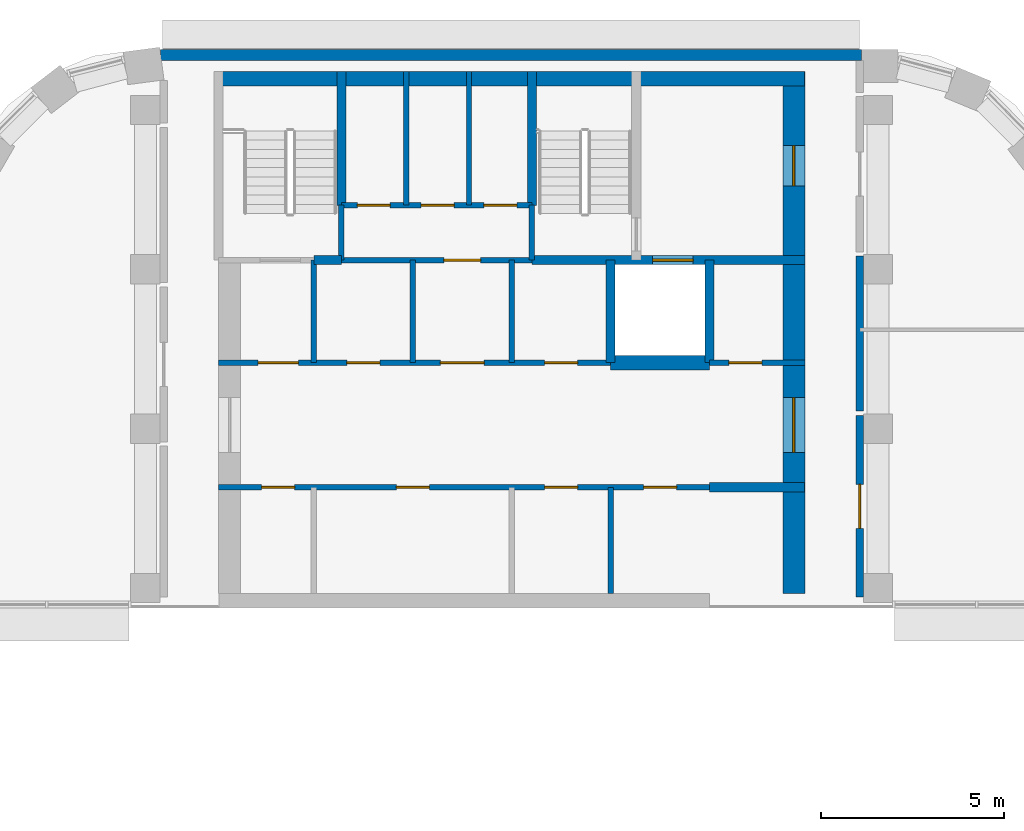
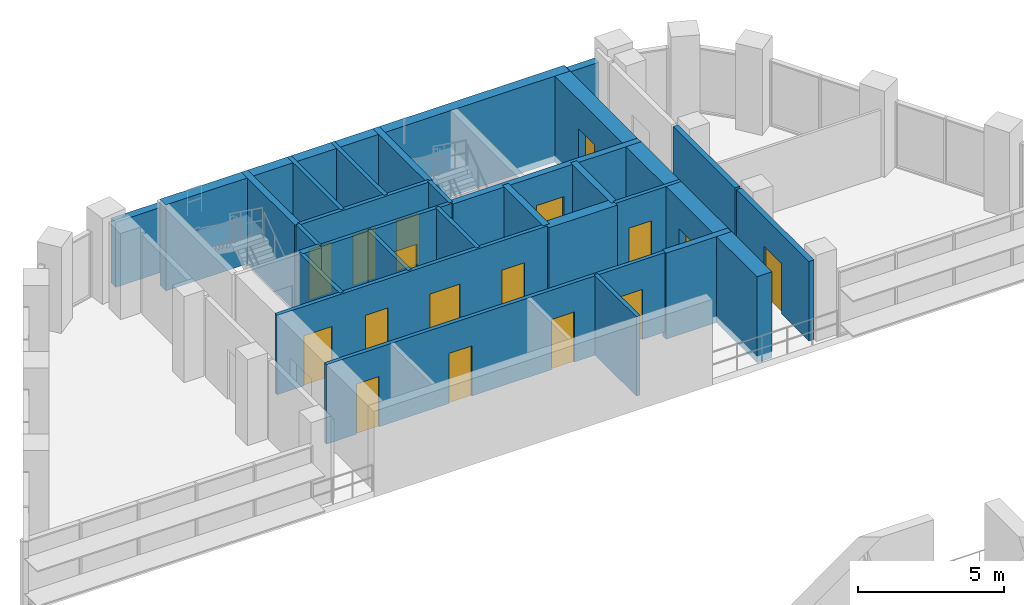
# One storey, part 10 of 14: 27 walls, 17 doors, 17 openings.
"""IFC4 building model written with IfcOpenShell, lengths in metres."""

import ifcopenshell
import ifcopenshell.guid

model = None  # the IFC model being written
_history = None  # IfcOwnerHistory: only IFC2X3 demands one
_inside = {}  # id of a spatial element -> (the spatial element, [elements in it])
_under = {}  # id of a project, library or spatial element -> (it, [spatial elements below it])
_declared = {}  # id of a project -> (the project, [libraries it declares])
_typed = {}  # id of a type object -> (the type object, [elements of that type])
_made_of = {}  # id of a material, layer set ... -> (it, [elements and type objects made of it])


def new_model(schema):
    """Start an empty IFC model of exactly this schema.

    Asked for "IFC4X3", IfcOpenShell would pick the latest addendum, in which some entities
    have other attributes; the version numbers below select the first issue.
    IFC2X3 requires an IfcOwnerHistory on every rooted entity: one is made here for all.
    """
    global model, _history
    if schema == "IFC4X3":
        model = ifcopenshell.file(schema_version=(4, 3, 0, 0))
    else:
        model = ifcopenshell.file(schema=schema)
    _inside.clear()
    _under.clear()
    _declared.clear()
    _typed.clear()
    _made_of.clear()
    _history = None
    if model.schema == "IFC2X3":
        org = make("IfcOrganization", Name="unknown")
        user = make(
            "IfcPersonAndOrganization",
            ThePerson=make("IfcPerson", FamilyName="unknown"),
            TheOrganization=org,
        )
        app = make(
            "IfcApplication",
            ApplicationDeveloper=org,
            Version="unknown",
            ApplicationFullName="unknown",
            ApplicationIdentifier="unknown",
        )
        _history = make(
            "IfcOwnerHistory",
            OwningUser=user,
            OwningApplication=app,
            ChangeAction="ADDED",
            CreationDate=0,
        )
    return model


def make(cls, **values):
    """One entity of the class cls with the attributes given. An attribute that is None is left unset."""
    return model.create_entity(
        cls, **{name: value for name, value in values.items() if value is not None}
    )


def rooted(cls, **values):
    """An entity with a GlobalId (a new one), such as an element, a storey or a relation."""
    return make(cls, GlobalId=ifcopenshell.guid.new(), OwnerHistory=_history, **values)


def si_unit(unit_type, name, prefix=None):
    """IfcSIUnit, for example si_unit("LENGTHUNIT", "METRE", prefix="MILLI")."""
    return make("IfcSIUnit", UnitType=unit_type, Prefix=prefix, Name=name)


def assignment(units):
    """IfcUnitAssignment: the units of a project."""
    return None if units is None else make("IfcUnitAssignment", Units=units)


def point(xyz):
    """IfcCartesianPoint."""
    return None if xyz is None else make("IfcCartesianPoint", Coordinates=xyz)


def direction(xyz):
    """IfcDirection."""
    return None if xyz is None else make("IfcDirection", DirectionRatios=xyz)


def frame(location, z_axis=None, x_axis=None):
    """IfcAxis2Placement3D, a coordinate frame: its origin and axes. An axis left out is left unset."""
    return make(
        "IfcAxis2Placement3D",
        Location=point(location),
        Axis=direction(z_axis),
        RefDirection=direction(x_axis),
    )


def frame_2d(location, x_axis=None):
    """IfcAxis2Placement2D, a coordinate frame in the plane: its origin and x axis."""
    return make(
        "IfcAxis2Placement2D", Location=point(location), RefDirection=direction(x_axis)
    )


def origin():
    """The frame at (0, 0, 0) with its axes left unset."""
    return frame((0.0, 0.0, 0.0))


def place(relative_to, where):
    """IfcLocalPlacement: puts the frame where relative to a parent placement (None: the world)."""
    return make(
        "IfcLocalPlacement", PlacementRelTo=relative_to, RelativePlacement=where
    )


def context(
    kind, dimensions, precision=None, world=None, true_north=None, identifier=None
):
    """IfcGeometricRepresentationContext, for example the 3D "Model" context."""
    return make(
        "IfcGeometricRepresentationContext",
        ContextIdentifier=identifier,
        ContextType=kind,
        CoordinateSpaceDimension=dimensions,
        Precision=precision,
        WorldCoordinateSystem=world,
        TrueNorth=true_north,
    )


def subcontext(parent, identifier, kind, view, scale=None):
    """IfcGeometricRepresentationSubContext, for example "Body" below "Model"."""
    return make(
        "IfcGeometricRepresentationSubContext",
        ContextIdentifier=identifier,
        ContextType=kind,
        ParentContext=parent,
        TargetScale=scale,
        TargetView=view,
    )


def project(units=None, contexts=None):
    """IfcProject with its units and contexts."""
    return rooted(
        "IfcProject",
        Name="project",
        RepresentationContexts=contexts,
        UnitsInContext=assignment(units),
    )


def spatial(cls, under=None, at=None, **own):
    """A site, building, storey or space (cls), placed at a placement, below another one or the project."""
    s = rooted(cls, ObjectPlacement=at, **own)
    if under is not None:
        _under.setdefault(under.id(), (under, []))[1].append(s)
    return s


def profile(cls, at=None, kind="AREA", **sizes):
    """A parametric profile (cls). Its sizes go by their IFC names, for example OverallWidth=200.0."""
    return make(cls, ProfileType=kind, Position=at, **sizes)


def rectangle(**sizes):
    """IfcRectangleProfileDef."""
    return profile("IfcRectangleProfileDef", **sizes)


def extrude(swept, where, along, depth):
    """IfcExtrudedAreaSolid: the profile swept, set in the frame where, extruded along a direction by depth."""
    return make(
        "IfcExtrudedAreaSolid",
        SweptArea=swept,
        Position=where,
        ExtrudedDirection=direction(along),
        Depth=depth,
    )


def shape(context_of_items, identifier, shape_type, items):
    """IfcShapeRepresentation: the items that make up one representation, for example the "Body"."""
    return make(
        "IfcShapeRepresentation",
        ContextOfItems=context_of_items,
        RepresentationIdentifier=identifier,
        RepresentationType=shape_type,
        Items=items,
    )


def material(Name=None, Category=None):
    """IfcMaterial."""
    return make("IfcMaterial", Name=Name, Category=Category)


def layer(
    of_material, thickness, ventilated=None, Name=None, Category=None, Priority=None
):
    """IfcMaterialLayer: one layer of a wall or slab, of a material (None: an air gap)."""
    return make(
        "IfcMaterialLayer",
        Material=of_material,
        LayerThickness=thickness,
        IsVentilated=ventilated,
        Name=Name,
        Category=Category,
        Priority=Priority,
    )


def layer_set(layers, Name=None):
    """IfcMaterialLayerSet."""
    return make("IfcMaterialLayerSet", MaterialLayers=layers, LayerSetName=Name)


def made_of(thing, what):
    """Note that an element or type object is made of a material, layer set ...; save() writes the relation."""
    if what is not None:
        _made_of.setdefault(what.id(), (what, []))[1].append(thing)
    return thing


def type_object(cls, material=None, **own):
    """A type object (cls), such as IfcWallType, which elements share."""
    return made_of(rooted(cls, **own), material)


def element(
    cls,
    number,
    at=None,
    inside=None,
    cuts=None,
    type_object=None,
    material=None,
    context=None,
    identifier="Body",
    shape_type=None,
    held_by="IfcProductDefinitionShape",
    body=None,
    shapes=None,
    **own,
):
    """One element of the class cls, such as IfcWall. Its Tag is "e" and its number.

    at: its placement. inside: the storey or other place that contains it. cuts: it is an
    opening in that element (IfcRelVoidsElement). A single representation is given by context,
    identifier, shape_type and body (its items); several are given by shapes. held_by: the class
    of the entity that holds the representations. save() writes the other relations.
    """
    e = rooted(cls, Tag="e%d" % number, ObjectPlacement=at, **own)
    if body is not None:
        shapes = [shape(context, identifier, shape_type, body)]
    if shapes is not None:
        e.Representation = make(held_by, Representations=shapes)
    if inside is not None:
        _inside.setdefault(inside.id(), (inside, []))[1].append(e)
    if cuts is not None:
        rooted(
            "IfcRelVoidsElement", RelatingBuildingElement=cuts, RelatedOpeningElement=e
        )
    if type_object is not None:
        _typed.setdefault(type_object.id(), (type_object, []))[1].append(e)
    return made_of(e, material)


def fill(opening, filler):
    """IfcRelFillsElement: the door or window that sits in an opening."""
    return rooted(
        "IfcRelFillsElement",
        RelatingOpeningElement=opening,
        RelatedBuildingElement=filler,
    )


def aggregate(whole, parts):
    """IfcRelAggregates: a whole, such as a stair, and the parts it consists of."""
    return rooted("IfcRelAggregates", RelatingObject=whole, RelatedObjects=parts)


def save(model, path):
    """Write the relations noted so far, then the file.

    IfcRelAggregates (storeys below a building ...), IfcRelContainedInSpatialStructure (elements
    in a storey), IfcRelDefinesByType, IfcRelAssociatesMaterial and IfcRelDeclares: one each for
    every whole, place, type object, material and project.
    """
    for whole, parts in _under.values():
        aggregate(whole, parts)
    for where, things in _inside.values():
        rooted(
            "IfcRelContainedInSpatialStructure",
            RelatedElements=things,
            RelatingStructure=where,
        )
    for kind, things in _typed.values():
        rooted("IfcRelDefinesByType", RelatedObjects=things, RelatingType=kind)
    for what, things in _made_of.values():
        rooted("IfcRelAssociatesMaterial", RelatedObjects=things, RelatingMaterial=what)
    for by, libraries in _declared.values():
        rooted("IfcRelDeclares", RelatingContext=by, RelatedDefinitions=libraries)
    model.write(path)


model = new_model("IFC4")

# Units and contexts
model_context = context("Model", 3, precision=1e-05, world=origin(), true_north=direction((0.0, 1.0)))
body_context = subcontext(model_context, "Body", "Model", "MODEL_VIEW")
ifc_project = project(units=[si_unit("LENGTHUNIT", "METRE"), si_unit("AREAUNIT", "SQUARE_METRE"), si_unit("VOLUMEUNIT", "CUBIC_METRE"), si_unit("PLANEANGLEUNIT", "RADIAN"), si_unit("MASSUNIT", "GRAM", prefix="KILO")], contexts=[model_context])

# Site, building, storey
site_placement = place(None, origin())
site = spatial("IfcSite", under=ifc_project, at=site_placement, CompositionType="ELEMENT")
building_placement = place(site_placement, origin())
building = spatial("IfcBuilding", under=site, at=building_placement, Name="Nakaniwa Court", CompositionType="ELEMENT")
storey_placement = place(building_placement, frame((0.0, 0.0, 279.60009765625)))
storey = spatial("IfcBuildingStorey", under=building, at=storey_placement, Name="C03", CompositionType="ELEMENT", Elevation=279.60009765625)

# Wall, opening, door
ifc_material_1 = material(Name="Acoustic double stud partition")
ifc_layer_1 = layer(ifc_material_1, 0.199951171875)
ifc_layer_set_1 = layer_set([ifc_layer_1], Name="Acoustic double stud partition")
wall_type_1 = type_object("IfcWallType", Name="Acoustic double stud partition 200", PredefinedType="PARTITIONING", material=ifc_layer_set_1)
wall_1_placement = place(storey_placement, frame((89.5, 92.6630859375, 0.0), z_axis=(0.0, 0.0, 1.0), x_axis=(0.0, -1.0, 0.0)))
wall_1 = element("IfcWall", 1, at=wall_1_placement, inside=storey, type_object=wall_type_1, Name="Partition PW-059", PredefinedType="PARTITIONING", context=body_context, shape_type="SweptSolid", body=[
    extrude(rectangle(XDim=4.963134765625, YDim=0.199951171875, at=frame_2d((2.4814453125, 0.0))), origin(), (0.0, 0.0, 1.0), 3.324951171875),
])
opening_1_placement = place(wall_1_placement, frame((1.883056640625, 0.0, 0.0)))
opening_1 = element("IfcOpeningElement", 2, at=opening_1_placement, cuts=wall_1, Name="Opening D-30-03", PredefinedType="OPENING", context=body_context, shape_type="SweptSolid", body=[
    extrude(rectangle(XDim=1.199951171875, YDim=2.10009765625, at=frame_2d((0.60009765625, 1.050048828125))), frame((0.0, 0.10986328125, 0.0), z_axis=(0.0, -1.0, 0.0), x_axis=(1.0, 0.0, 0.0)), (0.0, 0.0, 1.0), 0.219970703125),
])
ifc_material_2 = material(Name="Solid core timber door set, black veneer", Category="wood")
door_type_1 = type_object("IfcDoorType", Name="Internal door 1200", OperationType="NOTDEFINED", PredefinedType="DOOR", material=ifc_material_2)
door_1_placement = place(opening_1_placement, origin())
door_1 = element("IfcDoor", 3, at=door_1_placement, inside=storey, type_object=door_type_1, Name="Door D-30-03 C03-033", OperationType="SINGLE_SWING_RIGHT", OverallHeight=2.10009765625, OverallWidth=1.199951171875, PredefinedType="DOOR", context=body_context, shape_type="SweptSolid", body=[
    extrude(rectangle(XDim=1.199951171875, YDim=2.10009765625, at=frame_2d((0.60009765625, 1.050048828125))), frame((0.0, 0.02490234375, 0.0), z_axis=(0.0, -1.0, 0.0), x_axis=(1.0, 0.0, 0.0)), (0.0, 0.0, 1.0), 0.050048828125),
])
fill(opening_1, door_1)

# Walls
wall_2_placement = place(storey_placement, frame((89.5, 92.777099609375, 0.0), z_axis=(0.0, 0.0, 1.0), x_axis=(0.0, 1.0, 0.0)))
element("IfcWall", 4, at=wall_2_placement, inside=storey, type_object=wall_type_1, Name="Partition PW-060", PredefinedType="PARTITIONING", context=body_context, shape_type="SweptSolid", body=[
    extrude(rectangle(XDim=4.23583984375, YDim=0.199951171875, at=frame_2d((2.117919921875, 0.0))), origin(), (0.0, 0.0, 1.0), 3.324951171875),
])
ifc_material_3 = material(Name="Charcoal ceramic cladding")
ifc_layer_2 = layer(ifc_material_3, 0.02, Name="Ceramic cladding")
ifc_material_4 = material(Name="Ventilated air cavity")
ifc_layer_3 = layer(ifc_material_4, 0.04, ventilated=True, Name="Ventilated cavity")
ifc_material_5 = material(Name="Mineral wool insulation")
ifc_layer_4 = layer(ifc_material_5, 0.1, Name="Insulation")
ifc_material_6 = material(Name="Cement bonded sheathing board")
ifc_layer_5 = layer(ifc_material_6, 0.012, Name="Sheathing")
ifc_material_7 = material(Name="Cold-formed galvanised stud frame with mineral wool infill")
ifc_layer_6 = layer(ifc_material_7, 0.1, Name="Stud frame")
ifc_material_8 = material(Name="Fire-rated gypsum plasterboard lining")
ifc_layer_7 = layer(ifc_material_8, 0.028, Name="Lining")
ifc_layer_set_2 = layer_set([ifc_layer_2, ifc_layer_3, ifc_layer_4, ifc_layer_5, ifc_layer_6, ifc_layer_7], Name="Charcoal ceramic faced external wall system")
wall_type_2 = type_object("IfcWallType", Name="Black ceramic faced external wall 300", PredefinedType="SOLIDWALL", material=ifc_layer_set_2)
wall_3_placement = place(storey_placement, frame((89.54931640625, 102.5, 0.0), z_axis=(0.0, 0.0, 1.0), x_axis=(-1.0, 0.0, 0.0)))
element("IfcWall", 5, at=wall_3_placement, inside=storey, type_object=wall_type_2, Name="C03 external wall 23", PredefinedType="SOLIDWALL", context=body_context, shape_type="SweptSolid", body=[
    extrude(rectangle(XDim=19.1337890625, YDim=0.300048828125, at=frame_2d((9.56689453125, 0.0))), origin(), (0.0, 0.0, 1.0), 2.724853515625),
])
ifc_material_9 = material(Name="Blockwork partition", Category="masonry")
ifc_layer_8 = layer(ifc_material_9, 0.14990234375)
ifc_layer_set_3 = layer_set([ifc_layer_8], Name="Blockwork partition")
wall_type_3 = type_object("IfcWallType", Name="Blockwork partition 150", PredefinedType="PARTITIONING", material=ifc_layer_set_3)
wall_4_placement = place(storey_placement, frame((74.60009765625, 94.10009765625, 0.0), z_axis=(0.0, 0.0, 1.0), x_axis=(0.0, 1.0, 0.0)))
element("IfcWall", 6, at=wall_4_placement, inside=storey, type_object=wall_type_3, Name="Partition PW-002", PredefinedType="PARTITIONING", context=body_context, shape_type="SweptSolid", body=[
    extrude(rectangle(XDim=2.7998046875, YDim=0.14990234375, at=frame_2d((1.39990234375, 0.0))), origin(), (0.0, 0.0, 1.0), 3.324951171875),
])

# Wall, openings, doors
wall_5_placement = place(storey_placement, frame((85.39990234375, 90.699951171875, 0.0), z_axis=(0.0, 0.0, 1.0), x_axis=(-1.0, 0.0, 0.0)))
wall_5 = element("IfcWall", 7, at=wall_5_placement, inside=storey, type_object=wall_type_3, Name="Partition PW-003", PredefinedType="PARTITIONING", context=body_context, shape_type="SweptSolid", body=[
    extrude(rectangle(XDim=13.39990234375, YDim=0.14990234375, at=frame_2d((6.699951171875, 0.0))), origin(), (0.0, 0.0, 1.0), 3.324951171875),
])
opening_2_placement = place(wall_5_placement, frame((11.324951171875, 0.0, 0.0)))
opening_2 = element("IfcOpeningElement", 8, at=opening_2_placement, cuts=wall_5, Name="Opening D-05-01", PredefinedType="OPENING", context=body_context, shape_type="SweptSolid", body=[
    extrude(rectangle(XDim=0.89990234375, YDim=2.10009765625, at=frame_2d((0.449951171875, 1.050048828125))), frame((0.0, 0.0849609375, 0.0), z_axis=(0.0, -1.0, 0.0), x_axis=(1.0, 0.0, 0.0)), (0.0, 0.0, 1.0), 0.169921875),
])
opening_3_placement = place(wall_5_placement, frame((7.64990234375, 0.0, 0.0)))
opening_3 = element("IfcOpeningElement", 9, at=opening_3_placement, cuts=wall_5, Name="Opening D-05-02", PredefinedType="OPENING", context=body_context, shape_type="SweptSolid", body=[
    extrude(rectangle(XDim=0.89990234375, YDim=2.10009765625, at=frame_2d((0.449951171875, 1.050048828125))), frame((0.0, 0.0849609375, 0.0), z_axis=(0.0, -1.0, 0.0), x_axis=(1.0, 0.0, 0.0)), (0.0, 0.0, 1.0), 0.169921875),
])
opening_4_placement = place(wall_5_placement, frame((3.60009765625, 0.0, 0.0)))
opening_4 = element("IfcOpeningElement", 10, at=opening_4_placement, cuts=wall_5, Name="Opening D-05-03", PredefinedType="OPENING", context=body_context, shape_type="SweptSolid", body=[
    extrude(rectangle(XDim=0.89990234375, YDim=2.10009765625, at=frame_2d((0.449951171875, 1.050048828125))), frame((0.0, 0.0849609375, 0.0), z_axis=(0.0, -1.0, 0.0), x_axis=(1.0, 0.0, 0.0)), (0.0, 0.0, 1.0), 0.169921875),
])
opening_5_placement = place(wall_5_placement, frame((0.89990234375, 0.0, 0.0)))
opening_5 = element("IfcOpeningElement", 11, at=opening_5_placement, cuts=wall_5, Name="Opening D-05-04", PredefinedType="OPENING", context=body_context, shape_type="SweptSolid", body=[
    extrude(rectangle(XDim=0.89990234375, YDim=2.10009765625, at=frame_2d((0.449951171875, 1.050048828125))), frame((0.0, 0.0849609375, 0.0), z_axis=(0.0, -1.0, 0.0), x_axis=(1.0, 0.0, 0.0)), (0.0, 0.0, 1.0), 0.169921875),
])
ifc_material_10 = material(Name="Fire rated steel door set", Category="steel")
door_type_2 = type_object("IfcDoorType", Name="Service room door 900", OperationType="NOTDEFINED", PredefinedType="DOOR", material=ifc_material_10)
door_2_placement = place(opening_2_placement, origin())
door_2 = element("IfcDoor", 12, at=door_2_placement, inside=storey, type_object=door_type_2, Name="Door D-05-01 C03-001", OperationType="SINGLE_SWING_RIGHT", OverallHeight=2.10009765625, OverallWidth=0.89990234375, PredefinedType="DOOR", context=body_context, shape_type="SweptSolid", body=[
    extrude(rectangle(XDim=0.89990234375, YDim=2.10009765625, at=frame_2d((0.449951171875, 1.050048828125))), frame((0.0, 0.02490234375, 0.0), z_axis=(0.0, -1.0, 0.0), x_axis=(1.0, 0.0, 0.0)), (0.0, 0.0, 1.0), 0.050048828125),
])
fill(opening_2, door_2)
door_3_placement = place(opening_3_placement, origin())
door_3 = element("IfcDoor", 13, at=door_3_placement, inside=storey, type_object=door_type_2, Name="Door D-05-02 C03-002", OperationType="SINGLE_SWING_LEFT", OverallHeight=2.10009765625, OverallWidth=0.89990234375, PredefinedType="DOOR", context=body_context, shape_type="SweptSolid", body=[
    extrude(rectangle(XDim=0.89990234375, YDim=2.10009765625, at=frame_2d((0.449951171875, 1.050048828125))), frame((0.0, 0.02490234375, 0.0), z_axis=(0.0, -1.0, 0.0), x_axis=(1.0, 0.0, 0.0)), (0.0, 0.0, 1.0), 0.050048828125),
])
fill(opening_3, door_3)
door_4_placement = place(opening_4_placement, origin())
door_4 = element("IfcDoor", 14, at=door_4_placement, inside=storey, type_object=door_type_2, Name="Door D-05-03 C03-003", OperationType="SINGLE_SWING_RIGHT", OverallHeight=2.10009765625, OverallWidth=0.89990234375, PredefinedType="DOOR", context=body_context, shape_type="SweptSolid", body=[
    extrude(rectangle(XDim=0.89990234375, YDim=2.10009765625, at=frame_2d((0.449951171875, 1.050048828125))), frame((0.0, 0.02490234375, 0.0), z_axis=(0.0, -1.0, 0.0), x_axis=(1.0, 0.0, 0.0)), (0.0, 0.0, 1.0), 0.050048828125),
])
fill(opening_4, door_4)
door_5_placement = place(opening_5_placement, origin())
door_5 = element("IfcDoor", 15, at=door_5_placement, inside=storey, type_object=door_type_2, Name="Door D-05-04 C03-004", OperationType="SINGLE_SWING_LEFT", OverallHeight=2.10009765625, OverallWidth=0.89990234375, PredefinedType="DOOR", context=body_context, shape_type="SweptSolid", body=[
    extrude(rectangle(XDim=0.89990234375, YDim=2.10009765625, at=frame_2d((0.449951171875, 1.050048828125))), frame((0.0, 0.02490234375, 0.0), z_axis=(0.0, -1.0, 0.0), x_axis=(1.0, 0.0, 0.0)), (0.0, 0.0, 1.0), 0.050048828125),
])
fill(opening_5, door_5)

# Walls
wall_6_placement = place(storey_placement, frame((80.0, 94.10009765625, 0.0), z_axis=(0.0, 0.0, 1.0), x_axis=(0.0, 1.0, 0.0)))
element("IfcWall", 16, at=wall_6_placement, inside=storey, type_object=wall_type_3, Name="Partition PW-006", PredefinedType="PARTITIONING", context=body_context, shape_type="SweptSolid", body=[
    extrude(rectangle(XDim=2.7998046875, YDim=0.14990234375, at=frame_2d((1.39990234375, 0.0))), origin(), (0.0, 0.0, 1.0), 3.324951171875),
])
wall_7_placement = place(storey_placement, frame((82.699951171875, 87.800048828125, 0.0), z_axis=(0.0, 0.0, 1.0), x_axis=(0.0, 1.0, 0.0)))
element("IfcWall", 17, at=wall_7_placement, inside=storey, type_object=wall_type_3, Name="Partition PW-007", PredefinedType="PARTITIONING", context=body_context, shape_type="SweptSolid", body=[
    extrude(rectangle(XDim=2.89990234375, YDim=0.14990234375, at=frame_2d((1.449951171875, 0.0))), origin(), (0.0, 0.0, 1.0), 3.324951171875),
])

# Wall, openings, doors
wall_8_placement = place(storey_placement, frame((72.0, 94.10009765625, 0.0), z_axis=(0.0, 0.0, 1.0), x_axis=(1.0, 0.0, 0.0)))
wall_8 = element("IfcWall", 18, at=wall_8_placement, inside=storey, type_object=wall_type_3, Name="Partition PW-008", PredefinedType="PARTITIONING", context=body_context, shape_type="SweptSolid", body=[
    extrude(rectangle(XDim=10.702880859375, YDim=0.14990234375, at=frame_2d((5.3515625, 0.0))), origin(), (0.0, 0.0, 1.0), 3.324951171875),
])
opening_6_placement = place(wall_8_placement, frame((1.074951171875, 0.0, 0.0)))
opening_6 = element("IfcOpeningElement", 19, at=opening_6_placement, cuts=wall_8, Name="Opening D-08-01", PredefinedType="OPENING", context=body_context, shape_type="SweptSolid", body=[
    extrude(rectangle(XDim=1.10009765625, YDim=2.10009765625, at=frame_2d((0.550048828125, 1.050048828125))), frame((0.0, 0.0849609375, 0.0), z_axis=(0.0, -1.0, 0.0), x_axis=(1.0, 0.0, 0.0)), (0.0, 0.0, 1.0), 0.169921875),
])
opening_7_placement = place(wall_8_placement, frame((3.5, 0.0, 0.0)))
opening_7 = element("IfcOpeningElement", 20, at=opening_7_placement, cuts=wall_8, Name="Opening D-05-05", PredefinedType="OPENING", context=body_context, shape_type="SweptSolid", body=[
    extrude(rectangle(XDim=0.89990234375, YDim=2.10009765625, at=frame_2d((0.449951171875, 1.050048828125))), frame((0.0, 0.0849609375, 0.0), z_axis=(0.0, -1.0, 0.0), x_axis=(1.0, 0.0, 0.0)), (0.0, 0.0, 1.0), 0.169921875),
])
opening_8_placement = place(wall_8_placement, frame((6.050048828125, 0.0, 0.0)))
opening_8 = element("IfcOpeningElement", 21, at=opening_8_placement, cuts=wall_8, Name="Opening D-06-01", PredefinedType="OPENING", context=body_context, shape_type="SweptSolid", body=[
    extrude(rectangle(XDim=1.199951171875, YDim=2.10009765625, at=frame_2d((0.60009765625, 1.050048828125))), frame((0.0, 0.0849609375, 0.0), z_axis=(0.0, -1.0, 0.0), x_axis=(1.0, 0.0, 0.0)), (0.0, 0.0, 1.0), 0.169921875),
])
opening_9_placement = place(wall_8_placement, frame((8.89990234375, 0.0, 0.0)))
opening_9 = element("IfcOpeningElement", 22, at=opening_9_placement, cuts=wall_8, Name="Opening D-05-06", PredefinedType="OPENING", context=body_context, shape_type="SweptSolid", body=[
    extrude(rectangle(XDim=0.89990234375, YDim=2.10009765625, at=frame_2d((0.449951171875, 1.050048828125))), frame((0.0, 0.0849609375, 0.0), z_axis=(0.0, -1.0, 0.0), x_axis=(1.0, 0.0, 0.0)), (0.0, 0.0, 1.0), 0.169921875),
])
ifc_material_11 = material(Name="Fire rated steel double door set", Category="steel")
door_type_3 = type_object("IfcDoorType", Name="Service passage double door 1200", OperationType="NOTDEFINED", PredefinedType="DOOR", material=ifc_material_11)
door_6_placement = place(opening_8_placement, origin())
door_6 = element("IfcDoor", 23, at=door_6_placement, inside=storey, type_object=door_type_3, Name="Door D-06-01 C03-007", OperationType="DOUBLE_DOOR_SINGLE_SWING", OverallHeight=2.10009765625, OverallWidth=1.199951171875, PredefinedType="DOOR", context=body_context, shape_type="SweptSolid", body=[
    extrude(rectangle(XDim=1.199951171875, YDim=2.10009765625, at=frame_2d((0.60009765625, 1.050048828125))), frame((0.0, 0.02490234375, 0.0), z_axis=(0.0, -1.0, 0.0), x_axis=(1.0, 0.0, 0.0)), (0.0, 0.0, 1.0), 0.050048828125),
])
fill(opening_8, door_6)
door_7_placement = place(opening_7_placement, origin())
door_7 = element("IfcDoor", 24, at=door_7_placement, inside=storey, type_object=door_type_2, Name="Door D-05-05 C03-006", OperationType="SINGLE_SWING_LEFT", OverallHeight=2.10009765625, OverallWidth=0.89990234375, PredefinedType="DOOR", context=body_context, shape_type="SweptSolid", body=[
    extrude(rectangle(XDim=0.89990234375, YDim=2.10009765625, at=frame_2d((0.449951171875, 1.050048828125))), frame((0.0, 0.02490234375, 0.0), z_axis=(0.0, -1.0, 0.0), x_axis=(1.0, 0.0, 0.0)), (0.0, 0.0, 1.0), 0.050048828125),
])
fill(opening_7, door_7)
door_8_placement = place(opening_9_placement, origin())
door_8 = element("IfcDoor", 25, at=door_8_placement, inside=storey, type_object=door_type_2, Name="Door D-05-06 C03-008", OperationType="SINGLE_SWING_LEFT", OverallHeight=2.10009765625, OverallWidth=0.89990234375, PredefinedType="DOOR", context=body_context, shape_type="SweptSolid", body=[
    extrude(rectangle(XDim=0.89990234375, YDim=2.10009765625, at=frame_2d((0.449951171875, 1.050048828125))), frame((0.0, 0.02490234375, 0.0), z_axis=(0.0, -1.0, 0.0), x_axis=(1.0, 0.0, 0.0)), (0.0, 0.0, 1.0), 0.050048828125),
])
fill(opening_9, door_8)
door_type_4 = type_object("IfcDoorType", Name="Stair lobby door 1100", OperationType="NOTDEFINED", PredefinedType="DOOR", material=ifc_material_10)
door_9_placement = place(opening_6_placement, origin())
door_9 = element("IfcDoor", 26, at=door_9_placement, inside=storey, type_object=door_type_4, Name="Door D-08-01 C03-005", OperationType="SINGLE_SWING_RIGHT", OverallHeight=2.10009765625, OverallWidth=1.10009765625, PredefinedType="DOOR", context=body_context, shape_type="SweptSolid", body=[
    extrude(rectangle(XDim=1.10009765625, YDim=2.10009765625, at=frame_2d((0.550048828125, 1.050048828125))), frame((0.0, 0.02490234375, 0.0), z_axis=(0.0, -1.0, 0.0), x_axis=(1.0, 0.0, 0.0)), (0.0, 0.0, 1.0), 0.050048828125),
])
fill(opening_6, door_9)

# Wall, opening, door
wall_9_placement = place(storey_placement, frame((85.39697265625, 94.10009765625, 0.0), z_axis=(0.0, 0.0, 1.0), x_axis=(1.0, 0.0, 0.0)))
wall_9 = element("IfcWall", 27, at=wall_9_placement, inside=storey, type_object=wall_type_3, Name="Partition PW-009", PredefinedType="PARTITIONING", context=body_context, shape_type="SweptSolid", body=[
    extrude(rectangle(XDim=2.60302734375, YDim=0.14990234375, at=frame_2d((1.301513671875, 0.0))), origin(), (0.0, 0.0, 1.0), 3.324951171875),
])
opening_10_placement = place(wall_9_placement, frame((0.528076171875, 0.0, 0.0)))
opening_10 = element("IfcOpeningElement", 28, at=opening_10_placement, cuts=wall_9, Name="Opening D-05-07", PredefinedType="OPENING", context=body_context, shape_type="SweptSolid", body=[
    extrude(rectangle(XDim=0.89990234375, YDim=2.10009765625, at=frame_2d((0.449951171875, 1.050048828125))), frame((0.0, 0.0849609375, 0.0), z_axis=(0.0, -1.0, 0.0), x_axis=(1.0, 0.0, 0.0)), (0.0, 0.0, 1.0), 0.169921875),
])
door_10_placement = place(opening_10_placement, origin())
door_10 = element("IfcDoor", 29, at=door_10_placement, inside=storey, type_object=door_type_2, Name="Door D-05-07 C03-009", OperationType="SINGLE_SWING_RIGHT", OverallHeight=2.10009765625, OverallWidth=0.89990234375, PredefinedType="DOOR", context=body_context, shape_type="SweptSolid", body=[
    extrude(rectangle(XDim=0.89990234375, YDim=2.10009765625, at=frame_2d((0.449951171875, 1.050048828125))), frame((0.0, 0.02490234375, 0.0), z_axis=(0.0, -1.0, 0.0), x_axis=(1.0, 0.0, 0.0)), (0.0, 0.0, 1.0), 0.050048828125),
])
fill(opening_10, door_10)

# Wall
wall_10_placement = place(storey_placement, frame((77.300048828125, 94.10009765625, 0.0), z_axis=(0.0, 0.0, 1.0), x_axis=(0.0, 1.0, 0.0)))
element("IfcWall", 30, at=wall_10_placement, inside=storey, type_object=wall_type_3, Name="Partition PW-013", PredefinedType="PARTITIONING", context=body_context, shape_type="SweptSolid", body=[
    extrude(rectangle(XDim=2.7998046875, YDim=0.14990234375, at=frame_2d((1.39990234375, 0.0))), origin(), (0.0, 0.0, 1.0), 3.324951171875),
])

# Wall, opening, door
wall_11_placement = place(storey_placement, frame((75.346923828125, 96.89990234375, 0.0), z_axis=(0.0, 0.0, 1.0), x_axis=(1.0, 0.0, 0.0)))
wall_11 = element("IfcWall", 31, at=wall_11_placement, inside=storey, type_object=wall_type_3, Name="Partition PW-016", PredefinedType="PARTITIONING", context=body_context, shape_type="SweptSolid", body=[
    extrude(rectangle(XDim=5.2060546875, YDim=0.14990234375, at=frame_2d((2.60302734375, 0.0))), origin(), (0.0, 0.0, 1.0), 3.324951171875),
])
opening_11_placement = place(wall_11_placement, frame((2.802978515625, 0.0, 0.0)))
opening_11 = element("IfcOpeningElement", 32, at=opening_11_placement, cuts=wall_11, Name="Opening D-23-01", PredefinedType="OPENING", context=body_context, shape_type="SweptSolid", body=[
    extrude(rectangle(XDim=1.0, YDim=2.10009765625, at=frame_2d((0.5, 1.050048828125))), frame((0.0, 0.0849609375, 0.0), z_axis=(0.0, -1.0, 0.0), x_axis=(1.0, 0.0, 0.0)), (0.0, 0.0, 1.0), 0.169921875),
])
door_type_5 = type_object("IfcDoorType", Name="Service room door 1000", OperationType="NOTDEFINED", PredefinedType="DOOR", material=ifc_material_10)
door_11_placement = place(opening_11_placement, origin())
door_11 = element("IfcDoor", 33, at=door_11_placement, inside=storey, type_object=door_type_5, Name="Door D-23-01 C03-010", OperationType="SINGLE_SWING_LEFT", OverallHeight=2.10009765625, OverallWidth=1.0, PredefinedType="DOOR", context=body_context, shape_type="SweptSolid", body=[
    extrude(rectangle(XDim=1.0, YDim=2.10009765625, at=frame_2d((0.5, 1.050048828125))), frame((0.0, 0.02490234375, 0.0), z_axis=(0.0, -1.0, 0.0), x_axis=(1.0, 0.0, 0.0)), (0.0, 0.0, 1.0), 0.050048828125),
])
fill(opening_11, door_11)

# Wall, openings, doors
wall_12_placement = place(storey_placement, frame((75.35009765625, 98.39990234375, 0.0), z_axis=(0.0, 0.0, 1.0), x_axis=(1.0, 0.0, 0.0)))
wall_12 = element("IfcWall", 34, at=wall_12_placement, inside=storey, type_object=wall_type_3, Name="Partition PW-025", PredefinedType="PARTITIONING", context=body_context, shape_type="SweptSolid", body=[
    extrude(rectangle(XDim=5.199951171875, YDim=0.14990234375, at=frame_2d((2.60009765625, 0.0))), origin(), (0.0, 0.0, 1.0), 3.324951171875),
])
opening_12_placement = place(wall_12_placement, frame((0.43408203125, 0.0, 0.0)))
opening_12 = element("IfcOpeningElement", 35, at=opening_12_placement, cuts=wall_12, Name="Opening D-05-08", PredefinedType="OPENING", context=body_context, shape_type="SweptSolid", body=[
    extrude(rectangle(XDim=0.89990234375, YDim=2.10009765625, at=frame_2d((0.449951171875, 1.050048828125))), frame((0.0, 0.0849609375, 0.0), z_axis=(0.0, -1.0, 0.0), x_axis=(1.0, 0.0, 0.0)), (0.0, 0.0, 1.0), 0.169921875),
])
opening_13_placement = place(wall_12_placement, frame((2.176025390625, 0.0, 0.0)))
opening_13 = element("IfcOpeningElement", 36, at=opening_13_placement, cuts=wall_12, Name="Opening D-05-09", PredefinedType="OPENING", context=body_context, shape_type="SweptSolid", body=[
    extrude(rectangle(XDim=0.89990234375, YDim=2.10009765625, at=frame_2d((0.449951171875, 1.050048828125))), frame((0.0, 0.0849609375, 0.0), z_axis=(0.0, -1.0, 0.0), x_axis=(1.0, 0.0, 0.0)), (0.0, 0.0, 1.0), 0.169921875),
])
opening_14_placement = place(wall_12_placement, frame((3.89208984375, 0.0, 0.0)))
opening_14 = element("IfcOpeningElement", 37, at=opening_14_placement, cuts=wall_12, Name="Opening D-05-10", PredefinedType="OPENING", context=body_context, shape_type="SweptSolid", body=[
    extrude(rectangle(XDim=0.89990234375, YDim=2.10009765625, at=frame_2d((0.449951171875, 1.050048828125))), frame((0.0, 0.0849609375, 0.0), z_axis=(0.0, -1.0, 0.0), x_axis=(1.0, 0.0, 0.0)), (0.0, 0.0, 1.0), 0.169921875),
])
door_12_placement = place(opening_12_placement, origin())
door_12 = element("IfcDoor", 38, at=door_12_placement, inside=storey, type_object=door_type_2, Name="Door D-05-08 C03-011", OperationType="SINGLE_SWING_RIGHT", OverallHeight=2.10009765625, OverallWidth=0.89990234375, PredefinedType="DOOR", context=body_context, shape_type="SweptSolid", body=[
    extrude(rectangle(XDim=0.89990234375, YDim=2.10009765625, at=frame_2d((0.449951171875, 1.050048828125))), frame((0.0, 0.02490234375, 0.0), z_axis=(0.0, -1.0, 0.0), x_axis=(1.0, 0.0, 0.0)), (0.0, 0.0, 1.0), 0.050048828125),
])
fill(opening_12, door_12)
door_13_placement = place(opening_13_placement, origin())
door_13 = element("IfcDoor", 39, at=door_13_placement, inside=storey, type_object=door_type_2, Name="Door D-05-09 C03-012", OperationType="SINGLE_SWING_LEFT", OverallHeight=2.10009765625, OverallWidth=0.89990234375, PredefinedType="DOOR", context=body_context, shape_type="SweptSolid", body=[
    extrude(rectangle(XDim=0.89990234375, YDim=2.10009765625, at=frame_2d((0.449951171875, 1.050048828125))), frame((0.0, 0.02490234375, 0.0), z_axis=(0.0, -1.0, 0.0), x_axis=(1.0, 0.0, 0.0)), (0.0, 0.0, 1.0), 0.050048828125),
])
fill(opening_13, door_13)
door_14_placement = place(opening_14_placement, origin())
door_14 = element("IfcDoor", 40, at=door_14_placement, inside=storey, type_object=door_type_2, Name="Door D-05-10 C03-013", OperationType="SINGLE_SWING_RIGHT", OverallHeight=2.10009765625, OverallWidth=0.89990234375, PredefinedType="DOOR", context=body_context, shape_type="SweptSolid", body=[
    extrude(rectangle(XDim=0.89990234375, YDim=2.10009765625, at=frame_2d((0.449951171875, 1.050048828125))), frame((0.0, 0.02490234375, 0.0), z_axis=(0.0, -1.0, 0.0), x_axis=(1.0, 0.0, 0.0)), (0.0, 0.0, 1.0), 0.050048828125),
])
fill(opening_14, door_14)

# Walls
for number, where, z_axis, x_axis, name in (
    (41, (77.117919921875, 98.39990234375, 0.0), (0.0, 0.0, 1.0), (0.0, 1.0, 0.0), "Partition PW-026"),
    (42, (78.833984375, 98.39990234375, 0.0), (0.0, 0.0, 1.0), (0.0, 1.0, 0.0), "Partition PW-027"),
):
    element("IfcWall", number, at=place(storey_placement, frame(where, z_axis=z_axis, x_axis=x_axis)), inside=storey, type_object=wall_type_3, Name=name, PredefinedType="PARTITIONING", context=body_context, shape_type="SweptSolid", body=[
        extrude(rectangle(XDim=3.650146484375, YDim=0.14990234375, at=frame_2d((1.8251953125, 0.0))), origin(), (0.0, 0.0, 1.0), 3.324951171875),
    ])

# Wall, openings, doors
ifc_material_12 = material(Name="Concrete C80/100", Category="concrete")
ifc_layer_9 = layer(ifc_material_12, 0.60009765625)
ifc_layer_set_4 = layer_set([ifc_layer_9], Name="Concrete C80/100")
wall_type_4 = type_object("IfcWallType", Name="Concrete core side wall 600 C80", PredefinedType="SHEAR", material=ifc_layer_set_4)
wall_13_placement = place(storey_placement, frame((87.699951171875, 102.050048828125, -0.275146484375), z_axis=(0.0, 0.0, 1.0), x_axis=(0.0, -1.0, 0.0)))
wall_13 = element("IfcWall", 43, at=wall_13_placement, inside=storey, type_object=wall_type_4, Name="Core wall SW-11", PredefinedType="SHEAR", context=body_context, shape_type="SweptSolid", body=[
    extrude(rectangle(XDim=11.35009765625, YDim=0.60009765625, at=frame_2d((5.675048828125, 0.0))), origin(), (0.0, 0.0, 1.0), 3.60009765625),
])
opening_15_placement = place(wall_13_placement, frame((8.89990234375, 0.0, 0.27490234375)))
opening_15 = element("IfcOpeningElement", 44, at=opening_15_placement, cuts=wall_13, Name="Opening D-07-01", PredefinedType="OPENING", context=body_context, shape_type="SweptSolid", body=[
    extrude(rectangle(XDim=1.5, YDim=2.10009765625, at=frame_2d((0.75, 1.050048828125))), frame((0.0, 0.31005859375, 0.0), z_axis=(0.0, -1.0, 0.0), x_axis=(1.0, 0.0, 0.0)), (0.0, 0.0, 1.0), 0.6201171875),
])
opening_16_placement = place(wall_13_placement, frame((2.02490234375, 0.0, 0.27490234375)))
opening_16 = element("IfcOpeningElement", 45, at=opening_16_placement, cuts=wall_13, Name="Opening D-10-01", PredefinedType="OPENING", context=body_context, shape_type="SweptSolid", body=[
    extrude(rectangle(XDim=1.10009765625, YDim=2.10009765625, at=frame_2d((0.550048828125, 1.050048828125))), frame((0.0, 0.31005859375, 0.0), z_axis=(0.0, -1.0, 0.0), x_axis=(1.0, 0.0, 0.0)), (0.0, 0.0, 1.0), 0.6201171875),
])
door_type_6 = type_object("IfcDoorType", Name="Firefighting lobby door 1100", OperationType="NOTDEFINED", PredefinedType="DOOR", material=ifc_material_10)
door_15_placement = place(opening_16_placement, origin())
door_15 = element("IfcDoor", 46, at=door_15_placement, inside=storey, type_object=door_type_6, Name="Door D-10-01 C03-039", OperationType="SINGLE_SWING_RIGHT", OverallHeight=2.10009765625, OverallWidth=1.10009765625, PredefinedType="DOOR", context=body_context, shape_type="SweptSolid", body=[
    extrude(rectangle(XDim=1.10009765625, YDim=2.10009765625, at=frame_2d((0.550048828125, 1.050048828125))), frame((0.0, 0.02490234375, 0.0), z_axis=(0.0, -1.0, 0.0), x_axis=(1.0, 0.0, 0.0)), (0.0, 0.0, 1.0), 0.050048828125),
])
fill(opening_16, door_15)
ifc_material_13 = material(Name="Glazed fire rated steel double door set", Category="steel")
door_type_7 = type_object("IfcDoorType", Name="Lobby double door 1500", OperationType="NOTDEFINED", PredefinedType="DOOR", material=ifc_material_13)
door_16_placement = place(opening_15_placement, origin())
door_16 = element("IfcDoor", 47, at=door_16_placement, inside=storey, type_object=door_type_7, Name="Door D-07-01 C03-037", OperationType="DOUBLE_DOOR_SINGLE_SWING", OverallHeight=2.10009765625, OverallWidth=1.5, PredefinedType="DOOR", context=body_context, shape_type="SweptSolid", body=[
    extrude(rectangle(XDim=1.5, YDim=2.10009765625, at=frame_2d((0.75, 1.050048828125))), frame((0.0, 0.02490234375, 0.0), z_axis=(0.0, -1.0, 0.0), x_axis=(1.0, 0.0, 0.0)), (0.0, 0.0, 1.0), 0.050048828125),
])
fill(opening_15, door_16)

# Walls
wall_14_placement = place(storey_placement, frame((87.699951171875, 87.800048828125, -0.275146484375), z_axis=(0.0, 0.0, 1.0), x_axis=(0.0, 1.0, 0.0)))
element("IfcWall", 48, at=wall_14_placement, inside=storey, type_object=wall_type_4, Name="Core wall SW-74", PredefinedType="SHEAR", context=body_context, shape_type="SweptSolid", body=[
    extrude(rectangle(XDim=2.89599609375, YDim=0.60009765625, at=frame_2d((1.447998046875, 0.0))), origin(), (0.0, 0.0, 1.0), 3.60009765625),
])
ifc_layer_10 = layer(ifc_material_12, 0.39990234375)
ifc_layer_set_5 = layer_set([ifc_layer_10], Name="Concrete C80/100")
wall_type_5 = type_object("IfcWallType", Name="Concrete core spine wall 400 C80", PredefinedType="SHEAR", material=ifc_layer_set_5)
wall_15_placement = place(storey_placement, frame((82.697021484375, 94.10009765625, -0.275146484375), z_axis=(0.0, 0.0, 1.0), x_axis=(1.0, 0.0, 0.0)))
element("IfcWall", 49, at=wall_15_placement, inside=storey, type_object=wall_type_5, Name="Core wall SW-10", PredefinedType="SHEAR", context=body_context, shape_type="SweptSolid", body=[
    extrude(rectangle(XDim=2.7060546875, YDim=0.39990234375, at=frame_2d((1.35302734375, 0.0))), origin(), (0.0, 0.0, 1.0), 3.60009765625),
])
ifc_layer_11 = layer(ifc_material_12, 0.14990234375)
ifc_layer_set_6 = layer_set([ifc_layer_11], Name="Concrete C80/100")
wall_type_6 = type_object("IfcWallType", Name="Concrete core wall 150 C80", PredefinedType="SHEAR", material=ifc_layer_set_6)
for number, where, z_axis, x_axis, name in (
    (50, (75.35009765625, 96.89990234375, -0.275146484375), (0.0, 0.0, 1.0), (0.0, 1.0, 0.0), "Core wall SW-19"),
    (51, (80.550048828125, 96.89990234375, -0.275146484375), (0.0, 0.0, 1.0), (0.0, 1.0, 0.0), "Core wall SW-23"),
):
    element("IfcWall", number, at=place(storey_placement, frame(where, z_axis=z_axis, x_axis=x_axis)), inside=storey, type_object=wall_type_6, Name=name, PredefinedType="SHEAR", context=body_context, shape_type="SweptSolid", body=[
        extrude(rectangle(XDim=1.503173828125, YDim=0.14990234375, at=frame_2d((0.75146484375, 0.0))), origin(), (0.0, 0.0, 1.0), 3.60009765625),
    ])
ifc_layer_12 = layer(ifc_material_12, 0.39990234375)
ifc_layer_set_7 = layer_set([ifc_layer_12], Name="Concrete C80/100")
wall_type_7 = type_object("IfcWallType", Name="Concrete core wall 400 C80", PredefinedType="SHEAR", material=ifc_layer_set_7)
wall_16_placement = place(storey_placement, frame((72.00390625, 101.85009765625, -0.275146484375), z_axis=(0.0, 0.0, 1.0), x_axis=(1.0, 0.0, 0.0)))
element("IfcWall", 52, at=wall_16_placement, inside=storey, type_object=wall_type_7, Name="Core wall SW-76", PredefinedType="SHEAR", context=body_context, shape_type="SweptSolid", body=[
    extrude(rectangle(XDim=15.9921875, YDim=0.39990234375, at=frame_2d((7.99609375, 0.0))), origin(), (0.0, 0.0, 1.0), 3.60009765625),
])
ifc_layer_13 = layer(ifc_material_12, 0.25)
ifc_layer_set_8 = layer_set([ifc_layer_13], Name="Concrete C80/100")
wall_type_8 = type_object("IfcWallType", Name="Concrete shaft wall 250 C80", PredefinedType="SHEAR", material=ifc_layer_set_8)
wall_17_placement = place(storey_placement, frame((74.60009765625, 96.89990234375, -0.275146484375), z_axis=(0.0, 0.0, 1.0), x_axis=(1.0, 0.0, 0.0)))
element("IfcWall", 53, at=wall_17_placement, inside=storey, type_object=wall_type_8, Name="Core wall SW-14", PredefinedType="SHEAR", context=body_context, shape_type="SweptSolid", body=[
    extrude(rectangle(XDim=0.7529296875, YDim=0.25, at=frame_2d((0.37646484375, 0.0))), origin(), (0.0, 0.0, 1.0), 3.60009765625),
])

# Wall, opening, door
wall_18_placement = place(storey_placement, frame((80.547119140625, 96.89990234375, -0.275146484375), z_axis=(0.0, 0.0, 1.0), x_axis=(1.0, 0.0, 0.0)))
wall_18 = element("IfcWall", 54, at=wall_18_placement, inside=storey, type_object=wall_type_8, Name="Core wall SW-15", PredefinedType="SHEAR", context=body_context, shape_type="SweptSolid", body=[
    extrude(rectangle(XDim=7.452880859375, YDim=0.25, at=frame_2d((3.7265625, 0.0))), origin(), (0.0, 0.0, 1.0), 3.60009765625),
])
opening_17_placement = place(wall_18_placement, frame((3.302001953125, 0.0, 0.27490234375)))
opening_17 = element("IfcOpeningElement", 55, at=opening_17_placement, cuts=wall_18, Name="Opening LD01", PredefinedType="OPENING", context=body_context, shape_type="SweptSolid", body=[
    extrude(rectangle(XDim=1.10009765625, YDim=2.10009765625, at=frame_2d((0.550048828125, 1.050048828125))), frame((0.0, 0.135009765625, 0.0), z_axis=(0.0, -1.0, 0.0), x_axis=(1.0, 0.0, 0.0)), (0.0, 0.0, 1.0), 0.27001953125),
])
ifc_material_14 = material(Name="Stainless steel sliding lift landing door", Category="steel")
door_type_8 = type_object("IfcDoorType", Name="Lift landing door 1100", OperationType="NOTDEFINED", PredefinedType="DOOR", material=ifc_material_14)
door_17_placement = place(opening_17_placement, origin())
door_17 = element("IfcDoor", 56, at=door_17_placement, inside=storey, type_object=door_type_8, Name="Lift landing door LD01 C03-001", OperationType="SLIDING_TO_LEFT", OverallHeight=2.10009765625, OverallWidth=1.10009765625, PredefinedType="DOOR", context=body_context, shape_type="SweptSolid", body=[
    extrude(rectangle(XDim=1.10009765625, YDim=2.10009765625, at=frame_2d((0.550048828125, 1.050048828125))), frame((0.0, 0.02490234375, 0.0), z_axis=(0.0, -1.0, 0.0), x_axis=(1.0, 0.0, 0.0)), (0.0, 0.0, 1.0), 0.050048828125),
])
fill(opening_17, door_17)

# Walls
for number, where, z_axis, x_axis, name in (
    (57, (82.699951171875, 94.10009765625, -0.275146484375), (0.0, 0.0, 1.0), (0.0, 1.0, 0.0), "Core wall SW-17"),
    (58, (85.39990234375, 94.10009765625, -0.275146484375), (0.0, 0.0, 1.0), (0.0, 1.0, 0.0), "Core wall SW-18"),
):
    element("IfcWall", number, at=place(storey_placement, frame(where, z_axis=z_axis, x_axis=x_axis)), inside=storey, type_object=wall_type_8, Name=name, PredefinedType="SHEAR", context=body_context, shape_type="SweptSolid", body=[
        extrude(rectangle(XDim=2.7998046875, YDim=0.25, at=frame_2d((1.39990234375, 0.0))), origin(), (0.0, 0.0, 1.0), 3.60009765625),
    ])
for number, where, z_axis, x_axis, name in (
    (59, (75.35009765625, 98.39697265625, -0.275146484375), (0.0, 0.0, 1.0), (0.0, 1.0, 0.0), "Core wall SW-20"),
    (60, (80.550048828125, 98.39697265625, -0.275146484375), (0.0, 0.0, 1.0), (0.0, 1.0, 0.0), "Core wall SW-24"),
):
    element("IfcWall", number, at=place(storey_placement, frame(where, z_axis=z_axis, x_axis=x_axis)), inside=storey, type_object=wall_type_8, Name=name, PredefinedType="SHEAR", context=body_context, shape_type="SweptSolid", body=[
        extrude(rectangle(XDim=3.653076171875, YDim=0.25, at=frame_2d((1.82666015625, 0.0))), origin(), (0.0, 0.0, 1.0), 3.60009765625),
    ])
wall_19_placement = place(storey_placement, frame((85.404052734375, 90.699951171875, -0.275146484375), z_axis=(0.0, 0.0, 1.0), x_axis=(1.0, 0.0, 0.0)))
element("IfcWall", 61, at=wall_19_placement, inside=storey, type_object=wall_type_8, Name="Core wall SW-75", PredefinedType="SHEAR", context=body_context, shape_type="SweptSolid", body=[
    extrude(rectangle(XDim=2.592041015625, YDim=0.25, at=frame_2d((1.2958984375, 0.0))), origin(), (0.0, 0.0, 1.0), 3.60009765625),
])

save(model, "model.ifc")
